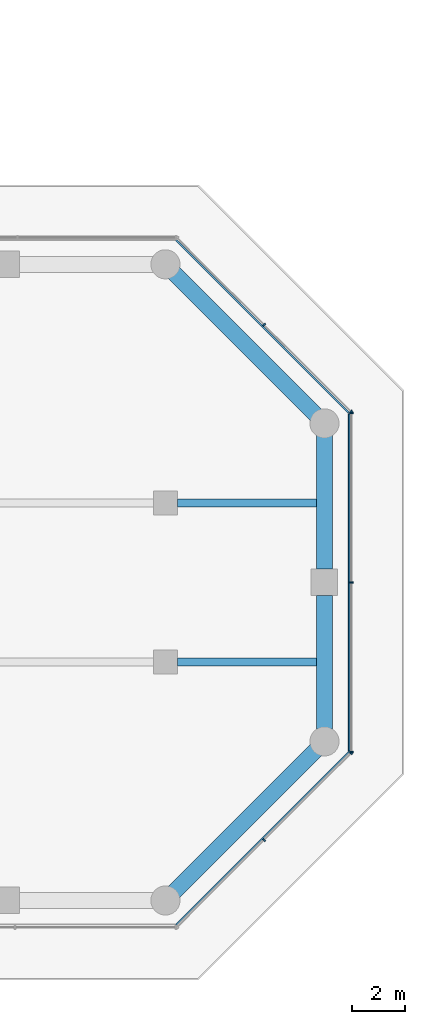
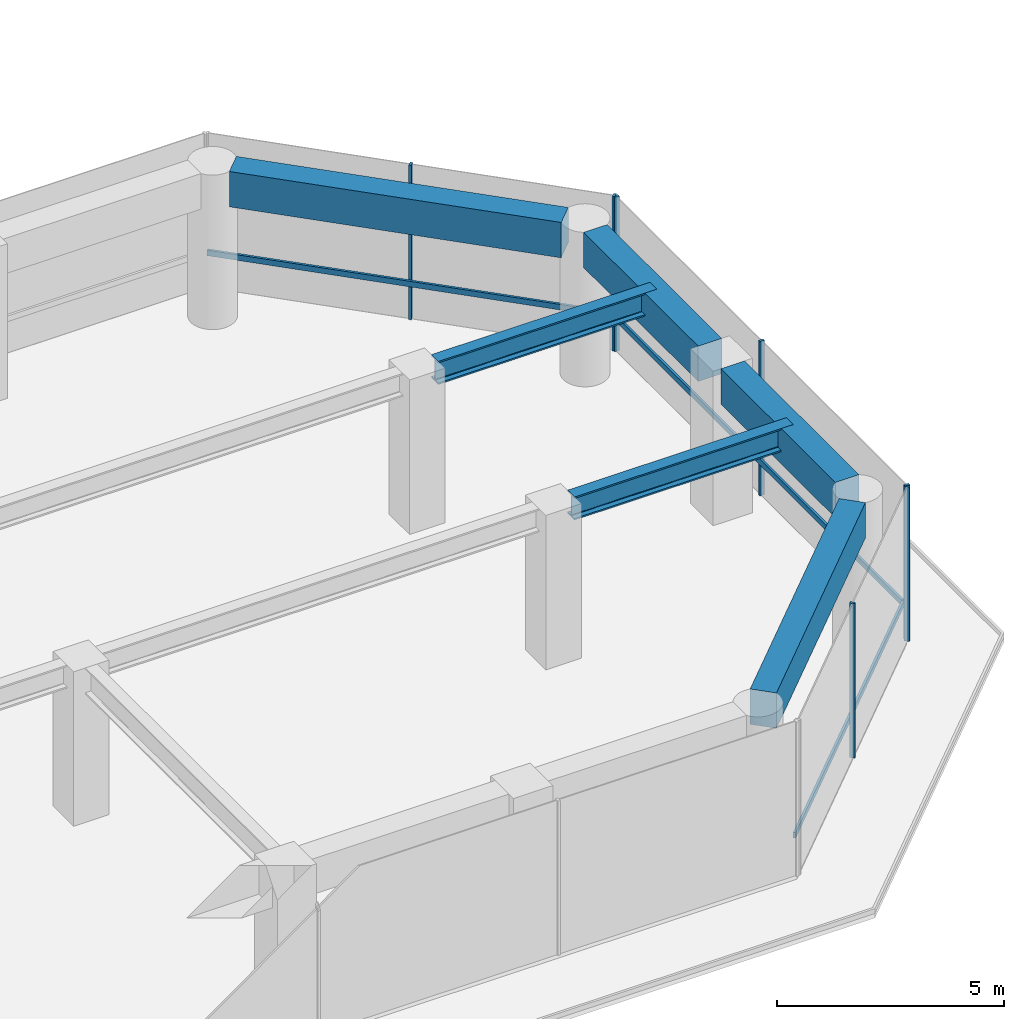
# One storey, part 18 of 24: 10 members, 6 beams, 3 elements without a shape of their own.
"""IFC4 building model written with IfcOpenShell, lengths in metres."""

from ifc_helpers import new_model, si_unit, direction, frame, origin, origin_2d, place, context, subcontext, project, spatial, rectangle, i_section, extrude, material, layer, layer_set, material_profile, profile_set, type_object, element, aggregate, save


model = new_model("IFC4")

# Units and contexts
model_context = context("Model", 3, precision=1e-05, world=origin(), true_north=direction((0.0, 1.0)))
body_context = subcontext(model_context, "Body", "Model", "MODEL_VIEW")
ifc_project = project(units=[si_unit("LENGTHUNIT", "METRE"), si_unit("AREAUNIT", "SQUARE_METRE"), si_unit("VOLUMEUNIT", "CUBIC_METRE"), si_unit("PLANEANGLEUNIT", "RADIAN"), si_unit("MASSUNIT", "GRAM", prefix="KILO")], contexts=[model_context])

# Site, building, storey
site_placement = place(None, origin())
site = spatial("IfcSite", under=ifc_project, at=site_placement, CompositionType="ELEMENT")
building_placement = place(site_placement, origin())
building = spatial("IfcBuilding", under=site, at=building_placement, Name="Welwitschia Terrace Campus", CompositionType="ELEMENT")
storey_placement = place(building_placement, frame((0.0, 0.0, 15.5)))
storey = spatial("IfcBuildingStorey", under=building, at=storey_placement, Name="L03", CompositionType="ELEMENT", Elevation=15.5)

# Beams
ifc_material_1 = material(Name="Steel S355", Category="steel")
ifc_material_profile_1 = material_profile(ifc_material_1, i_section(OverallWidth=0.304931640625, OverallDepth=0.6201171875, WebThickness=0.02099609375, FlangeThickness=0.0400390625, FilletRadius=0.027099609375, at=origin_2d()))
ifc_profile_set_1 = profile_set([ifc_material_profile_1], Name="Steel S355")
beam_type_1 = type_object("IfcBeamType", Name="Interior girder HE 600 M", PredefinedType="BEAM", material=ifc_profile_set_1)
for number, where, z_axis, x_axis, name in (
    (1, (60.450439453125, 5.0, 3.840087890625), (1.0, 0.0, 0.0), (0.0, 1.0, 0.0), "Girder GB1"),
    (2, (60.450439453125, 11.0, 3.840087890625), (1.0, 0.0, 0.0), (0.0, 1.0, 0.0), "Girder GB1"),
):
    element("IfcBeam", number, at=place(storey_placement, frame(where, z_axis=z_axis, x_axis=x_axis)), inside=storey, type_object=beam_type_1, Name=name, PredefinedType="BEAM", context=body_context, shape_type="SweptSolid", body=[
        extrude(i_section(OverallWidth=0.304931640625, OverallDepth=0.6201171875, WebThickness=0.02099609375, FlangeThickness=0.0400390625, FilletRadius=0.027099609375, at=origin_2d()), origin(), (0.0, 0.0, 1.0), 5.5595703125),
    ])

# Curtain wall, members
ifc_material_2 = material(Name="Bronze anodised aluminium", Category="aluminium")
ifc_layer = layer(ifc_material_2, 0.1201171875)
ifc_layer_set = layer_set([ifc_layer], Name="Bronze anodised aluminium")
curtain_wall_type = type_object("IfcCurtainWallType", Name="Curtain wall CW2 tower 6000", PredefinedType="NOTDEFINED", material=ifc_layer_set)
curtain_wall_1_placement = place(storey_placement, origin())
curtain_wall_1 = element("IfcCurtainWall", 3, at=curtain_wall_1_placement, inside=storey, type_object=curtain_wall_type, Name="CW L03.2.0", PredefinedType="NOTDEFINED")
ifc_material_3 = material(Name="Bronze anodised aluminium", Category="aluminium")
ifc_material_profile_2 = material_profile(ifc_material_3, rectangle(XDim=0.1201171875, YDim=0.06005859375, at=origin_2d()))
ifc_profile_set_2 = profile_set([ifc_material_profile_2], Name="Bronze anodised aluminium")
member_type_1 = type_object("IfcMemberType", Name="Mullion 60x120", PredefinedType="MULLION", material=ifc_profile_set_2)
member_1_placement = place(storey_placement, frame((63.72119140625, -1.72119140625, 0.0), z_axis=(0.0, 0.0, 1.0), x_axis=(-0.707106781187, 0.707106781187, 0.0)))
member_1 = element("IfcMember", 4, at=member_1_placement, type_object=member_type_1, Name="Mullion L03.2.0.1", PredefinedType="MULLION", context=body_context, shape_type="SweptSolid", body=[
    extrude(rectangle(XDim=0.1201171875, YDim=0.06005859375, at=origin_2d()), origin(), (0.0, 0.0, 1.0), 4.14990234375),
])
member_2_placement = place(storey_placement, frame((66.998779296875, 1.556396484375, 0.0), z_axis=(0.0, 0.0, 1.0), x_axis=(-0.707106781187, 0.707106781187, 0.0)))
member_2 = element("IfcMember", 5, at=member_2_placement, type_object=member_type_1, Name="Mullion L03.2.0.2", PredefinedType="MULLION", context=body_context, shape_type="SweptSolid", body=[
    extrude(rectangle(XDim=0.1201171875, YDim=0.06005859375, at=origin_2d()), origin(), (0.0, 0.0, 1.0), 4.14990234375),
])

curtain_wall_2_placement = place(storey_placement, origin())
curtain_wall_2 = element("IfcCurtainWall", 6, at=curtain_wall_2_placement, inside=storey, type_object=curtain_wall_type, Name="CW L03.3.0", PredefinedType="NOTDEFINED")
member_3_placement = place(storey_placement, frame((67.02001953125, 1.607421875, 0.0), z_axis=(0.0, 0.0, 1.0), x_axis=(-1.0, 0.0, 0.0)))
member_3 = element("IfcMember", 7, at=member_3_placement, type_object=member_type_1, Name="Mullion L03.3.0.0", PredefinedType="MULLION", context=body_context, shape_type="SweptSolid", body=[
    extrude(rectangle(XDim=0.1201171875, YDim=0.06005859375, at=origin_2d()), origin(), (0.0, 0.0, 1.0), 4.14990234375),
])
member_4_placement = place(storey_placement, frame((67.02001953125, 8.0, 0.0), z_axis=(0.0, 0.0, 1.0), x_axis=(-1.0, 0.0, 0.0)))
member_4 = element("IfcMember", 8, at=member_4_placement, type_object=member_type_1, Name="Mullion L03.3.0.1", PredefinedType="MULLION", context=body_context, shape_type="SweptSolid", body=[
    extrude(rectangle(XDim=0.1201171875, YDim=0.06005859375, at=origin_2d()), origin(), (0.0, 0.0, 1.0), 4.14990234375),
])
member_5_placement = place(storey_placement, frame((67.02001953125, 14.392578125, 0.0), z_axis=(0.0, 0.0, 1.0), x_axis=(-1.0, 0.0, 0.0)))
member_5 = element("IfcMember", 9, at=member_5_placement, type_object=member_type_1, Name="Mullion L03.3.0.2", PredefinedType="MULLION", context=body_context, shape_type="SweptSolid", body=[
    extrude(rectangle(XDim=0.1201171875, YDim=0.06005859375, at=origin_2d()), origin(), (0.0, 0.0, 1.0), 4.14990234375),
])

curtain_wall_3_placement = place(storey_placement, origin())
curtain_wall_3 = element("IfcCurtainWall", 10, at=curtain_wall_3_placement, inside=storey, type_object=curtain_wall_type, Name="CW L03.4.0", PredefinedType="NOTDEFINED")
member_6_placement = place(storey_placement, frame((66.998779296875, 14.443603515625, 0.0), z_axis=(0.0, 0.0, 1.0), x_axis=(-0.707106781187, -0.707106781187, 0.0)))
member_6 = element("IfcMember", 11, at=member_6_placement, type_object=member_type_1, Name="Mullion L03.4.0.0", PredefinedType="MULLION", context=body_context, shape_type="SweptSolid", body=[
    extrude(rectangle(XDim=0.1201171875, YDim=0.06005859375, at=origin_2d()), origin(), (0.0, 0.0, 1.0), 4.14990234375),
])
member_7_placement = place(storey_placement, frame((63.72119140625, 17.72119140625, 0.0), z_axis=(0.0, 0.0, 1.0), x_axis=(-0.707106781187, -0.707106781187, 0.0)))
member_7 = element("IfcMember", 12, at=member_7_placement, type_object=member_type_1, Name="Mullion L03.4.0.1", PredefinedType="MULLION", context=body_context, shape_type="SweptSolid", body=[
    extrude(rectangle(XDim=0.1201171875, YDim=0.06005859375, at=origin_2d()), origin(), (0.0, 0.0, 1.0), 4.14990234375),
])

# Beams
ifc_material_4 = material(Name="Concrete C60/75", Category="concrete")
ifc_material_profile_3 = material_profile(ifc_material_4, rectangle(XDim=0.60009765625, YDim=0.949951171875, at=origin_2d()))
ifc_profile_set_3 = profile_set([ifc_material_profile_3], Name="Concrete C60/75")
beam_type_2 = type_object("IfcBeamType", Name="Ring spandrel 600x950", PredefinedType="SPANDREL", material=ifc_profile_set_3)
beam_1_placement = place(storey_placement, frame((60.326416015625, -3.673583984375, 3.675048828125), z_axis=(0.707106781187, 0.707106781187, 0.0), x_axis=(-0.707106781187, 0.707106781187, 0.0)))
element("IfcBeam", 13, at=beam_1_placement, inside=storey, type_object=beam_type_2, Name="Spandrel SP1", PredefinedType="SPANDREL", context=body_context, shape_type="SweptSolid", body=[
    extrude(rectangle(XDim=0.60009765625, YDim=0.949951171875, at=origin_2d()), origin(), (0.0, 0.0, 1.0), 7.56201171875),
])
for number, where, z_axis, x_axis, name in (
    (14, (66.0, 2.46142578125, 3.675048828125), (0.0, 1.0, 0.0), (-1.0, 0.0, 0.0), "Spandrel SP1"),
    (15, (66.0, 8.50048828125, 3.675048828125), (0.0, 1.0, 0.0), (-1.0, 0.0, 0.0), "Spandrel SP1"),
):
    element("IfcBeam", number, at=place(storey_placement, frame(where, z_axis=z_axis, x_axis=x_axis)), inside=storey, type_object=beam_type_2, Name=name, PredefinedType="SPANDREL", context=body_context, shape_type="SweptSolid", body=[
        extrude(rectangle(XDim=0.60009765625, YDim=0.949951171875, at=origin_2d()), origin(), (0.0, 0.0, 1.0), 5.0380859375),
    ])
beam_2_placement = place(storey_placement, frame((65.673583984375, 14.326416015625, 3.675048828125), z_axis=(-0.707106781187, 0.707106781187, 0.0), x_axis=(-0.707106781187, -0.707106781187, 0.0)))
element("IfcBeam", 16, at=beam_2_placement, inside=storey, type_object=beam_type_2, Name="Spandrel SP1", PredefinedType="SPANDREL", context=body_context, shape_type="SweptSolid", body=[
    extrude(rectangle(XDim=0.60009765625, YDim=0.949951171875, at=origin_2d()), origin(), (0.0, 0.0, 1.0), 7.56201171875),
])

# Member
ifc_material_5 = material(Name="Bronze anodised aluminium", Category="aluminium")
ifc_material_profile_4 = material_profile(ifc_material_5, rectangle(XDim=0.06005859375, YDim=0.14990234375, at=origin_2d()))
ifc_profile_set_4 = profile_set([ifc_material_profile_4], Name="Bronze anodised aluminium")
member_type_2 = type_object("IfcMemberType", Name="Transom 60x150", PredefinedType="USERDEFINED", material=ifc_profile_set_4)
member_8_placement = place(storey_placement, frame((60.4013671875, -4.913818359375, 1.0), z_axis=(0.707106781187, 0.707106781187, 0.0), x_axis=(-0.707106781187, 0.707106781187, 0.0)))
member_8 = element("IfcMember", 17, at=member_8_placement, type_object=member_type_2, Name="Transom L03.2.0", ObjectType="TRANSOM", PredefinedType="USERDEFINED", context=body_context, shape_type="SweptSolid", body=[
    extrude(rectangle(XDim=0.06005859375, YDim=0.14990234375, at=origin_2d()), origin(), (0.0, 0.0, 1.0), 9.2099609375),
])

aggregate(curtain_wall_1, [member_1, member_2, member_8])

member_9_placement = place(storey_placement, frame((66.929931640625, 1.637451171875, 1.0), z_axis=(0.0, 1.0, 0.0), x_axis=(-1.0, 0.0, 0.0)))
member_9 = element("IfcMember", 18, at=member_9_placement, type_object=member_type_2, Name="Transom L03.3.0", ObjectType="TRANSOM", PredefinedType="USERDEFINED", context=body_context, shape_type="SweptSolid", body=[
    extrude(rectangle(XDim=0.06005859375, YDim=0.14990234375, at=origin_2d()), origin(), (0.0, 0.0, 1.0), 12.72509765625),
])

aggregate(curtain_wall_2, [member_3, member_4, member_5, member_9])

member_10_placement = place(storey_placement, frame((66.913818359375, 14.4013671875, 1.0), z_axis=(-0.707106781187, 0.707106781187, 0.0), x_axis=(-0.707106781187, -0.707106781187, 0.0)))
member_10 = element("IfcMember", 19, at=member_10_placement, type_object=member_type_2, Name="Transom L03.4.0", ObjectType="TRANSOM", PredefinedType="USERDEFINED", context=body_context, shape_type="SweptSolid", body=[
    extrude(rectangle(XDim=0.06005859375, YDim=0.14990234375, at=origin_2d()), origin(), (0.0, 0.0, 1.0), 9.2099609375),
])

aggregate(curtain_wall_3, [member_6, member_7, member_10])

save(model, "model.ifc")
